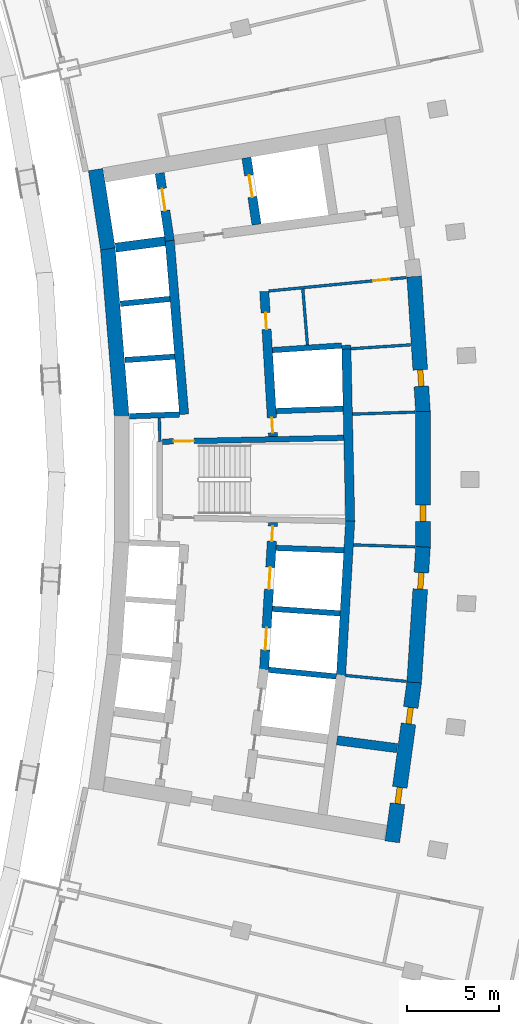
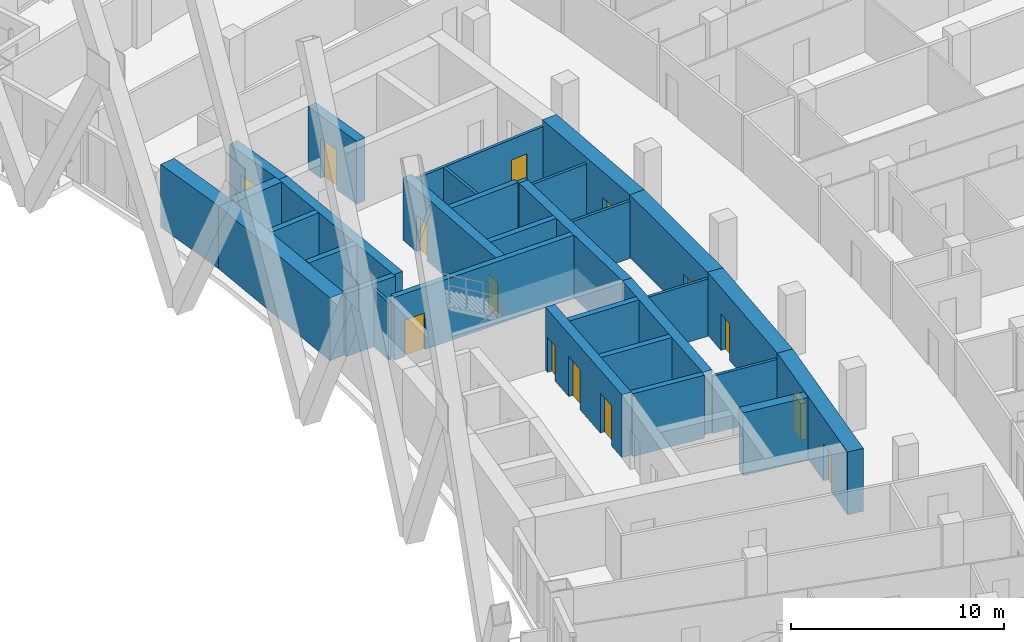
# One storey, part 17 of 26: 32 walls, 14 doors, 14 openings.
"""IFC4 building model written with IfcOpenShell, lengths in metres."""

from ifc_helpers import new_model, si_unit, direction, frame, frame_2d, origin, place, context, subcontext, project, spatial, rectangle, extrude, material, layer, layer_set, type_object, element, fill, save


model = new_model("IFC4")

# Units and contexts
model_context = context("Model", 3, precision=1e-05, world=origin(), true_north=direction((0.0, 1.0)))
body_context = subcontext(model_context, "Body", "Model", "MODEL_VIEW")
ifc_project = project(units=[si_unit("LENGTHUNIT", "METRE"), si_unit("AREAUNIT", "SQUARE_METRE"), si_unit("VOLUMEUNIT", "CUBIC_METRE"), si_unit("PLANEANGLEUNIT", "RADIAN"), si_unit("MASSUNIT", "GRAM", prefix="KILO")], contexts=[model_context])

# Site, building, storey
site_placement = place(None, origin())
site = spatial("IfcSite", under=ifc_project, at=site_placement, CompositionType="ELEMENT")
building_placement = place(site_placement, origin())
building = spatial("IfcBuilding", under=site, at=building_placement, Name="Alderwake Tower", CompositionType="ELEMENT")
storey_placement = place(building_placement, frame((0.0, 0.0, 82.39990234375)))
storey = spatial("IfcBuildingStorey", under=building, at=storey_placement, Name="L19", CompositionType="ELEMENT", Elevation=82.39990234375)

# Walls
ifc_material_1 = material(Name="Gypsum shaft wall system, rated")
ifc_layer_1 = layer(ifc_material_1, 0.14990234375)
ifc_layer_set_1 = layer_set([ifc_layer_1], Name="Core room partition 150")
wall_type_1 = type_object("IfcWallType", Name="Core room partition 150", PredefinedType="PARTITIONING", material=ifc_layer_set_1)
wall_1_placement = place(storey_placement, frame((18.918701171875, 63.05517578125, 0.0), z_axis=(0.0, 0.0, 1.0), x_axis=(-0.027327648352, 0.999626530078, 0.0)))
element("IfcWall", 1, at=wall_1_placement, inside=storey, type_object=wall_type_1, Name="CW/L19/PA+24_+22", PredefinedType="PARTITIONING", context=body_context, shape_type="SweptSolid", body=[
    extrude(rectangle(XDim=1.29541015625, YDim=0.14990234375, at=frame_2d((0.647705078125, 0.0))), origin(), (0.0, 0.0, 1.0), 3.280029296875),
])
wall_2_placement = place(storey_placement, frame((26.94970703125, 68.3203125, 0.0), z_axis=(0.0, 0.0, 1.0), x_axis=(-0.082463525817, 0.996594083321, 0.0)))
element("IfcWall", 2, at=wall_2_placement, inside=storey, type_object=wall_type_1, Name="CW/L19/PA+107_+70", PredefinedType="PARTITIONING", context=body_context, shape_type="SweptSolid", body=[
    extrude(rectangle(XDim=3.055419921875, YDim=0.14990234375, at=frame_2d((1.52783203125, 0.0))), origin(), (0.0, 0.0, 1.0), 3.280029296875),
])
wall_3_placement = place(storey_placement, frame((29.029296875, 50.331298828125, 0.0), z_axis=(0.0, 0.0, 1.0), x_axis=(0.995248248589, -0.097370034814, 0.0)))
element("IfcWall", 3, at=wall_3_placement, inside=storey, type_object=wall_type_1, Name="CW/L19/PR-102_+128", PredefinedType="PARTITIONING", context=body_context, shape_type="SweptSolid", body=[
    extrude(rectangle(XDim=3.31982421875, YDim=0.14990234375, at=frame_2d((1.659912109375, 0.0))), origin(), (0.0, 0.0, 1.0), 3.280029296875),
])
wall_4_placement = place(storey_placement, frame((29.45068359375, 57.440185546875, 0.0), z_axis=(0.0, 0.0, 1.0), x_axis=(0.999470404779, -0.0325408969, 0.0)))
element("IfcWall", 4, at=wall_4_placement, inside=storey, type_object=wall_type_1, Name="CW/L19/PR-34_+128", PredefinedType="PARTITIONING", context=body_context, shape_type="SweptSolid", body=[
    extrude(rectangle(XDim=3.361083984375, YDim=0.14990234375, at=frame_2d((1.6806640625, 0.0))), origin(), (0.0, 0.0, 1.0), 3.280029296875),
])
wall_5_placement = place(storey_placement, frame((29.3974609375, 64.55810546875, 0.0), z_axis=(0.0, 0.0, 1.0), x_axis=(0.999470631901, 0.032533920269, 0.0)))
element("IfcWall", 5, at=wall_5_placement, inside=storey, type_object=wall_type_1, Name="CW/L19/PR+34_+128", PredefinedType="PARTITIONING", context=body_context, shape_type="SweptSolid", body=[
    extrude(rectangle(XDim=3.414306640625, YDim=0.14990234375, at=frame_2d((1.70703125, 0.0))), origin(), (0.0, 0.0, 1.0), 3.280029296875),
])
wall_6_placement = place(storey_placement, frame((29.318603515625, 68.11865234375, 0.0), z_axis=(0.0, 0.0, 1.0), x_axis=(0.997885072108, 0.065002945035, 0.0)))
element("IfcWall", 6, at=wall_6_placement, inside=storey, type_object=wall_type_1, Name="CW/L19/PR+68_+128", PredefinedType="PARTITIONING", context=body_context, shape_type="SweptSolid", body=[
    extrude(rectangle(XDim=3.260009765625, YDim=0.14990234375, at=frame_2d((1.6298828125, 0.0))), origin(), (0.0, 0.0, 1.0), 3.280029296875),
])

# Wall, opening, door
wall_7_placement = place(storey_placement, frame((32.333251953125, 71.991943359375, 0.0), z_axis=(0.0, 0.0, 1.0), x_axis=(-0.995248348328, -0.097369015353, 0.0)))
wall_7 = element("IfcWall", 7, at=wall_7_placement, inside=storey, type_object=wall_type_1, Name="CW/L19/PR+102_+86", PredefinedType="PARTITIONING", context=body_context, shape_type="SweptSolid", body=[
    extrude(rectangle(XDim=7.51953125, YDim=0.14990234375, at=frame_2d((3.759765625, 0.0))), origin(), (0.0, 0.0, 1.0), 3.280029296875),
])
opening_1_placement = place(wall_7_placement, frame((0.919921875, 0.0, 0.0)))
opening_1 = element("IfcOpeningElement", 8, at=opening_1_placement, cuts=wall_7, Name="Opening C021", PredefinedType="OPENING", context=body_context, shape_type="SweptSolid", body=[
    extrude(rectangle(XDim=0.89990234375, YDim=2.10009765625, at=frame_2d((0.449951171875, 1.050048828125))), frame((0.0, 0.0849609375, 0.0), z_axis=(0.0, -1.0, 0.0), x_axis=(1.0, 0.0, 0.0)), (0.0, 0.0, 1.0), 0.169921875),
])
ifc_material_2 = material(Name="Painted steel leaf", Category="steel")
door_type_1 = type_object("IfcDoorType", Name="Core room door 900", OperationType="SINGLE_SWING_LEFT", PredefinedType="DOOR", material=ifc_material_2)
door_1_placement = place(opening_1_placement, origin())
door_1 = element("IfcDoor", 9, at=door_1_placement, inside=storey, type_object=door_type_1, Name="Room door", OperationType="SINGLE_SWING_RIGHT", OverallHeight=2.10009765625, OverallWidth=0.89990234375, PredefinedType="DOOR", context=body_context, shape_type="SweptSolid", body=[
    extrude(rectangle(XDim=0.89990234375, YDim=2.10009765625, at=frame_2d((0.449951171875, 1.050048828125))), frame((0.0, 0.02490234375, 0.0), z_axis=(0.0, -1.0, 0.0), x_axis=(1.0, 0.0, 0.0)), (0.0, 0.0, 1.0), 0.050048828125),
])
fill(opening_1, door_1)

# Walls
ifc_material_3 = material(Name="Concrete C70/85", Category="concrete")
ifc_layer_2 = layer(ifc_material_3, 0.800048828125)
ifc_layer_set_2 = layer_set([ifc_layer_2], Name="Core wall outer 800 C70-85")
wall_type_2 = type_object("IfcWallType", Name="Core wall outer 800 C70-85", PredefinedType="SHEAR", material=ifc_layer_set_2)
wall_8_placement = place(storey_placement, frame((16.8408203125, 64.410888671875, 0.0), z_axis=(0.0, 0.0, 1.0), x_axis=(-0.082619502339, 0.996581164699, 0.0)))
element("IfcWall", 10, at=wall_8_placement, inside=storey, type_object=wall_type_2, Name="Core wall CW.040", PredefinedType="SHEAR", context=body_context, shape_type="SweptSolid", body=[
    extrude(rectangle(XDim=9.201904296875, YDim=0.800048828125, at=frame_2d((4.60107421875, 0.0))), origin(), (0.0, 0.0, 1.0), 3.60009765625),
])
wall_9_placement = place(storey_placement, frame((16.083984375, 73.552490234375, 0.0), z_axis=(0.0, 0.0, 1.0), x_axis=(-0.151981606421, 0.988383322052, 0.0)))
element("IfcWall", 11, at=wall_9_placement, inside=storey, type_object=wall_type_2, Name="Core wall CW.039", PredefinedType="SHEAR", context=body_context, shape_type="SweptSolid", body=[
    extrude(rectangle(XDim=4.369384765625, YDim=0.800048828125, at=frame_2d((2.1845703125, 0.0))), origin(), (0.0, 0.0, 1.0), 3.60009765625),
])

# Wall, openings, doors
wall_10_placement = place(storey_placement, frame((32.763427734375, 49.980712890625, 0.0), z_axis=(0.0, 0.0, 1.0), x_axis=(-0.135838347444, -0.990731014637, 0.0)))
wall_10 = element("IfcWall", 12, at=wall_10_placement, inside=storey, type_object=wall_type_2, Name="Core wall CW.012", PredefinedType="SHEAR", context=body_context, shape_type="SweptSolid", body=[
    extrude(rectangle(XDim=8.788818359375, YDim=0.800048828125, at=frame_2d((4.39453125, 0.0))), origin(), (0.0, 0.0, 1.0), 3.60009765625),
])
opening_2_placement = place(wall_10_placement, frame((1.40576171875, 0.0, 0.0)))
opening_2 = element("IfcOpeningElement", 13, at=opening_2_placement, cuts=wall_10, Name="Opening C050", PredefinedType="OPENING", context=body_context, shape_type="SweptSolid", body=[
    extrude(rectangle(XDim=0.89990234375, YDim=2.10009765625, at=frame_2d((0.449951171875, 1.050048828125))), frame((0.0, 0.409912109375, 0.0), z_axis=(0.0, -1.0, 0.0), x_axis=(1.0, 0.0, 0.0)), (0.0, 0.0, 1.0), 0.820068359375),
])
opening_3_placement = place(wall_10_placement, frame((5.79345703125, 0.0, 0.0)))
opening_3 = element("IfcOpeningElement", 14, at=opening_3_placement, cuts=wall_10, Name="Opening C061", PredefinedType="OPENING", context=body_context, shape_type="SweptSolid", body=[
    extrude(rectangle(XDim=0.89990234375, YDim=2.10009765625, at=frame_2d((0.449951171875, 1.050048828125))), frame((0.0, 0.409912109375, 0.0), z_axis=(0.0, -1.0, 0.0), x_axis=(1.0, 0.0, 0.0)), (0.0, 0.0, 1.0), 0.820068359375),
])
door_2_placement = place(opening_2_placement, origin())
door_2 = element("IfcDoor", 15, at=door_2_placement, inside=storey, type_object=door_type_1, Name="Room door", OperationType="SINGLE_SWING_LEFT", OverallHeight=2.10009765625, OverallWidth=0.89990234375, PredefinedType="DOOR", context=body_context, shape_type="SweptSolid", body=[
    extrude(rectangle(XDim=0.89990234375, YDim=2.10009765625, at=frame_2d((0.449951171875, 1.050048828125))), frame((0.0, 0.14990234375, 0.0), z_axis=(0.0, -1.0, 0.0), x_axis=(1.0, 0.0, 0.0)), (0.0, 0.0, 1.0), 0.300048828125),
])
fill(opening_2, door_2)
door_3_placement = place(opening_3_placement, origin())
door_3 = element("IfcDoor", 16, at=door_3_placement, inside=storey, type_object=door_type_1, Name="Room door", OperationType="SINGLE_SWING_RIGHT", OverallHeight=2.10009765625, OverallWidth=0.89990234375, PredefinedType="DOOR", context=body_context, shape_type="SweptSolid", body=[
    extrude(rectangle(XDim=0.89990234375, YDim=2.10009765625, at=frame_2d((0.449951171875, 1.050048828125))), frame((0.0, 0.14990234375, 0.0), z_axis=(0.0, -1.0, 0.0), x_axis=(1.0, 0.0, 0.0)), (0.0, 0.0, 1.0), 0.300048828125),
])
fill(opening_3, door_3)

# Wall, opening, door
wall_11_placement = place(storey_placement, frame((33.240966796875, 57.330322265625, 0.0), z_axis=(0.0, 0.0, 1.0), x_axis=(-0.064976219143, -0.997886812693, 0.0)))
wall_11 = element("IfcWall", 17, at=wall_11_placement, inside=storey, type_object=wall_type_2, Name="Core wall CW.011", PredefinedType="SHEAR", context=body_context, shape_type="SweptSolid", body=[
    extrude(rectangle(XDim=7.39453125, YDim=0.800048828125, at=frame_2d((3.697265625, 0.0))), origin(), (0.0, 0.0, 1.0), 3.60009765625),
])
opening_4_placement = place(wall_11_placement, frame((1.40478515625, 0.0, 0.0)))
opening_4 = element("IfcOpeningElement", 18, at=opening_4_placement, cuts=wall_11, Name="Opening C026", PredefinedType="OPENING", context=body_context, shape_type="SweptSolid", body=[
    extrude(rectangle(XDim=0.89990234375, YDim=2.10009765625, at=frame_2d((0.449951171875, 1.050048828125))), frame((0.0, 0.409912109375, 0.0), z_axis=(0.0, -1.0, 0.0), x_axis=(1.0, 0.0, 0.0)), (0.0, 0.0, 1.0), 0.820068359375),
])
door_4_placement = place(opening_4_placement, origin())
door_4 = element("IfcDoor", 19, at=door_4_placement, inside=storey, type_object=door_type_1, Name="Room door", OperationType="SINGLE_SWING_RIGHT", OverallHeight=2.10009765625, OverallWidth=0.89990234375, PredefinedType="DOOR", context=body_context, shape_type="SweptSolid", body=[
    extrude(rectangle(XDim=0.89990234375, YDim=2.10009765625, at=frame_2d((0.449951171875, 1.050048828125))), frame((0.0, 0.14990234375, 0.0), z_axis=(0.0, -1.0, 0.0), x_axis=(1.0, 0.0, 0.0)), (0.0, 0.0, 1.0), 0.300048828125),
])
fill(opening_4, door_4)

wall_12_placement = place(storey_placement, frame((33.239990234375, 64.69677734375, 0.0), z_axis=(0.0, 0.0, 1.0), x_axis=(0.0, -1.0, 0.0)))
wall_12 = element("IfcWall", 20, at=wall_12_placement, inside=storey, type_object=wall_type_2, Name="Core wall CW.013", PredefinedType="SHEAR", context=body_context, shape_type="SweptSolid", body=[
    extrude(rectangle(XDim=7.3935546875, YDim=0.800048828125, at=frame_2d((3.69677734375, 0.0))), origin(), (0.0, 0.0, 1.0), 3.60009765625),
])
opening_5_placement = place(wall_12_placement, frame((5.08837890625, 0.0, 0.0)))
opening_5 = element("IfcOpeningElement", 21, at=opening_5_placement, cuts=wall_12, Name="Opening C030", PredefinedType="OPENING", context=body_context, shape_type="SweptSolid", body=[
    extrude(rectangle(XDim=0.89990234375, YDim=2.10009765625, at=frame_2d((0.449951171875, 1.050048828125))), frame((0.0, 0.409912109375, 0.0), z_axis=(0.0, -1.0, 0.0), x_axis=(1.0, 0.0, 0.0)), (0.0, 0.0, 1.0), 0.820068359375),
])
door_5_placement = place(opening_5_placement, origin())
door_5 = element("IfcDoor", 22, at=door_5_placement, inside=storey, type_object=door_type_1, Name="Room door", OperationType="SINGLE_SWING_LEFT", OverallHeight=2.10009765625, OverallWidth=0.89990234375, PredefinedType="DOOR", context=body_context, shape_type="SweptSolid", body=[
    extrude(rectangle(XDim=0.89990234375, YDim=2.10009765625, at=frame_2d((0.449951171875, 1.050048828125))), frame((0.0, 0.14990234375, 0.0), z_axis=(0.0, -1.0, 0.0), x_axis=(1.0, 0.0, 0.0)), (0.0, 0.0, 1.0), 0.300048828125),
])
fill(opening_5, door_5)

wall_13_placement = place(storey_placement, frame((32.760498046875, 72.048583984375, 0.0), z_axis=(0.0, 0.0, 1.0), x_axis=(0.064976219143, -0.997886812693, 0.0)))
wall_13 = element("IfcWall", 23, at=wall_13_placement, inside=storey, type_object=wall_type_2, Name="Core wall CW.010", PredefinedType="SHEAR", context=body_context, shape_type="SweptSolid", body=[
    extrude(rectangle(XDim=7.39453125, YDim=0.800048828125, at=frame_2d((3.697265625, 0.0))), origin(), (0.0, 0.0, 1.0), 3.60009765625),
])
opening_6_placement = place(wall_13_placement, frame((5.08984375, 0.0, 0.0)))
opening_6 = element("IfcOpeningElement", 24, at=opening_6_placement, cuts=wall_13, Name="Opening C035", PredefinedType="OPENING", context=body_context, shape_type="SweptSolid", body=[
    extrude(rectangle(XDim=0.89990234375, YDim=2.10009765625, at=frame_2d((0.449951171875, 1.050048828125))), frame((0.0, 0.409912109375, 0.0), z_axis=(0.0, -1.0, 0.0), x_axis=(1.0, 0.0, 0.0)), (0.0, 0.0, 1.0), 0.820068359375),
])
door_6_placement = place(opening_6_placement, origin())
door_6 = element("IfcDoor", 25, at=door_6_placement, inside=storey, type_object=door_type_1, Name="Room door", OperationType="SINGLE_SWING_RIGHT", OverallHeight=2.10009765625, OverallWidth=0.89990234375, PredefinedType="DOOR", context=body_context, shape_type="SweptSolid", body=[
    extrude(rectangle(XDim=0.89990234375, YDim=2.10009765625, at=frame_2d((0.449951171875, 1.050048828125))), frame((0.0, 0.14990234375, 0.0), z_axis=(0.0, -1.0, 0.0), x_axis=(1.0, 0.0, 0.0)), (0.0, 0.0, 1.0), 0.300048828125),
])
fill(opening_6, door_6)

# Walls
ifc_material_4 = material(Name="Concrete C70/85", Category="concrete")
ifc_layer_3 = layer(ifc_material_4, 0.300048828125)
ifc_layer_set_3 = layer_set([ifc_layer_3], Name="Core wall shaft 300 C70-85")
wall_type_3 = type_object("IfcWallType", Name="Core wall shaft 300 C70-85", PredefinedType="SHEAR", material=ifc_layer_set_3)
wall_14_placement = place(storey_placement, frame((24.839599609375, 50.64013671875, 0.0), z_axis=(0.0, 0.0, 1.0), x_axis=(0.995150987401, -0.098359098589, 0.0)))
element("IfcWall", 26, at=wall_14_placement, inside=storey, type_object=wall_type_3, Name="Core wall CW.066", PredefinedType="SHEAR", context=body_context, shape_type="SweptSolid", body=[
    extrude(rectangle(XDim=3.69580078125, YDim=0.300048828125, at=frame_2d((1.847900390625, 0.0))), origin(), (0.0, 0.0, 1.0), 3.60009765625),
])
wall_15_placement = place(storey_placement, frame((25.0400390625, 53.9580078125, 0.0), z_axis=(0.0, 0.0, 1.0), x_axis=(0.997759957359, -0.066895945251, 0.0)))
element("IfcWall", 27, at=wall_15_placement, inside=storey, type_object=wall_type_3, Name="Core wall CW.080", PredefinedType="SHEAR", context=body_context, shape_type="SweptSolid", body=[
    extrude(rectangle(XDim=3.697021484375, YDim=0.300048828125, at=frame_2d((1.8486328125, 0.0))), origin(), (0.0, 0.0, 1.0), 3.60009765625),
])
wall_16_placement = place(storey_placement, frame((25.240478515625, 57.27490234375, 0.0), z_axis=(0.0, 0.0, 1.0), x_axis=(0.999372332678, -0.035425141877, 0.0)))
element("IfcWall", 28, at=wall_16_placement, inside=storey, type_object=wall_type_3, Name="Core wall CW.077", PredefinedType="SHEAR", context=body_context, shape_type="SweptSolid", body=[
    extrude(rectangle(XDim=3.69384765625, YDim=0.300048828125, at=frame_2d((1.846923828125, 0.0))), origin(), (0.0, 0.0, 1.0), 3.60009765625),
])
wall_17_placement = place(storey_placement, frame((17.269287109375, 64.443115234375, 0.0), z_axis=(0.0, 0.0, 1.0), x_axis=(0.999374239339, 0.03537131246, 0.0)))
element("IfcWall", 29, at=wall_17_placement, inside=storey, type_object=wall_type_3, Name="Core wall CW.059", PredefinedType="SHEAR", context=body_context, shape_type="SweptSolid", body=[
    extrude(rectangle(XDim=2.719482421875, YDim=0.300048828125, at=frame_2d((1.35986328125, 0.0))), origin(), (0.0, 0.0, 1.0), 3.60009765625),
])
wall_18_placement = place(storey_placement, frame((25.2412109375, 64.725341796875, 0.0), z_axis=(0.0, 0.0, 1.0), x_axis=(0.999374468163, 0.035364846723, 0.0)))
element("IfcWall", 30, at=wall_18_placement, inside=storey, type_object=wall_type_3, Name="Core wall CW.060", PredefinedType="SHEAR", context=body_context, shape_type="SweptSolid", body=[
    extrude(rectangle(XDim=3.65185546875, YDim=0.300048828125, at=frame_2d((1.825927734375, 0.0))), origin(), (0.0, 0.0, 1.0), 3.60009765625),
])
wall_19_placement = place(storey_placement, frame((17.015869140625, 67.50390625, 0.0), z_axis=(0.0, 0.0, 1.0), x_axis=(0.997756033475, 0.066954444689, 0.0)))
element("IfcWall", 31, at=wall_19_placement, inside=storey, type_object=wall_type_3, Name="Core wall CW.062", PredefinedType="SHEAR", context=body_context, shape_type="SweptSolid", body=[
    extrude(rectangle(XDim=2.716552734375, YDim=0.300048828125, at=frame_2d((1.3583984375, 0.0))), origin(), (0.0, 0.0, 1.0), 3.60009765625),
])
wall_20_placement = place(storey_placement, frame((25.042236328125, 68.0419921875, 0.0), z_axis=(0.0, 0.0, 1.0), x_axis=(0.997762475899, 0.066858370369, 0.0)))
element("IfcWall", 32, at=wall_20_placement, inside=storey, type_object=wall_type_3, Name="Core wall CW.063", PredefinedType="SHEAR", context=body_context, shape_type="SweptSolid", body=[
    extrude(rectangle(XDim=3.772216796875, YDim=0.300048828125, at=frame_2d((1.88623046875, 0.0))), origin(), (0.0, 0.0, 1.0), 3.60009765625),
])
wall_21_placement = place(storey_placement, frame((16.76220703125, 70.561767578125, 0.0), z_axis=(0.0, 0.0, 1.0), x_axis=(0.995154832978, 0.098320183083, 0.0)))
element("IfcWall", 33, at=wall_21_placement, inside=storey, type_object=wall_type_3, Name="Core wall CW.050", PredefinedType="SHEAR", context=body_context, shape_type="SweptSolid", body=[
    extrude(rectangle(XDim=2.716552734375, YDim=0.300048828125, at=frame_2d((1.3583984375, 0.0))), origin(), (0.0, 0.0, 1.0), 3.60009765625),
])
ifc_material_5 = material(Name="Concrete C70/85", Category="concrete")
ifc_layer_4 = layer(ifc_material_5, 0.5)
ifc_layer_set_4 = layer_set([ifc_layer_4], Name="Core wall spine 500 C70-85")
wall_type_4 = type_object("IfcWallType", Name="Core wall spine 500 C70-85", PredefinedType="SHEAR", material=ifc_layer_set_4)
wall_22_placement = place(storey_placement, frame((20.2373046875, 64.548095703125, 0.0), z_axis=(0.0, 0.0, 1.0), x_axis=(-0.082641410547, 0.996579348202, 0.0)))
element("IfcWall", 34, at=wall_22_placement, inside=storey, type_object=wall_type_4, Name="Core wall CW.031", PredefinedType="SHEAR", context=body_context, shape_type="SweptSolid", body=[
    extrude(rectangle(XDim=9.500732421875, YDim=0.5, at=frame_2d((4.75048828125, 0.0))), origin(), (0.0, 0.0, 1.0), 3.60009765625),
])

# Wall, opening, door
wall_23_placement = place(storey_placement, frame((19.4541015625, 73.9990234375, 0.0), z_axis=(0.0, 0.0, 1.0), x_axis=(-0.14792928808, 0.988997940204, 0.0)))
wall_23 = element("IfcWall", 35, at=wall_23_placement, inside=storey, type_object=wall_type_4, Name="Core wall CW.030", PredefinedType="SHEAR", context=body_context, shape_type="SweptSolid", body=[
    extrude(rectangle(XDim=3.716552734375, YDim=0.5, at=frame_2d((1.8583984375, 0.0))), origin(), (0.0, 0.0, 1.0), 3.60009765625),
])
opening_7_placement = place(wall_23_placement, frame((1.66259765625, 0.0, 0.0)))
opening_7 = element("IfcOpeningElement", 36, at=opening_7_placement, cuts=wall_23, Name="Opening LD-FF1", PredefinedType="OPENING", context=body_context, shape_type="SweptSolid", body=[
    extrude(rectangle(XDim=1.199951171875, YDim=2.300048828125, at=frame_2d((0.60009765625, 1.14990234375))), frame((0.0, 0.260009765625, 0.0), z_axis=(0.0, -1.0, 0.0), x_axis=(1.0, 0.0, 0.0)), (0.0, 0.0, 1.0), 0.52001953125),
])
ifc_material_6 = material(Name="Stainless steel sliding leaf", Category="steel")
door_type_2 = type_object("IfcDoorType", Name="Lift landing door 1200", OperationType="SLIDING_TO_LEFT", PredefinedType="DOOR", material=ifc_material_6)
door_7_placement = place(opening_7_placement, origin())
door_7 = element("IfcDoor", 37, at=door_7_placement, inside=storey, type_object=door_type_2, Name="Lift landing door FF1", OperationType="SLIDING_TO_LEFT", OverallHeight=2.300048828125, OverallWidth=1.199951171875, PredefinedType="DOOR", context=body_context, shape_type="SweptSolid", body=[
    extrude(rectangle(XDim=1.199951171875, YDim=2.300048828125, at=frame_2d((0.60009765625, 1.14990234375))), frame((0.0, 0.02490234375, 0.0), z_axis=(0.0, -1.0, 0.0), x_axis=(1.0, 0.0, 0.0)), (0.0, 0.0, 1.0), 0.050048828125),
])
fill(opening_7, door_7)

# Wall, openings, doors
wall_24_placement = place(storey_placement, frame((24.590087890625, 50.655029296875, 0.0), z_axis=(0.0, 0.0, 1.0), x_axis=(0.060305817737, 0.998179947879, 0.0)))
wall_24 = element("IfcWall", 38, at=wall_24_placement, inside=storey, type_object=wall_type_4, Name="Core wall CW.046", PredefinedType="SHEAR", context=body_context, shape_type="SweptSolid", body=[
    extrude(rectangle(XDim=8.02392578125, YDim=0.5, at=frame_2d((4.011962890625, 0.0))), origin(), (0.0, 0.0, 1.0), 3.60009765625),
])
opening_8_placement = place(wall_24_placement, frame((1.067138671875, 0.0, 0.0)))
opening_8 = element("IfcOpeningElement", 39, at=opening_8_placement, cuts=wall_24, Name="Opening LD-LP5", PredefinedType="OPENING", context=body_context, shape_type="SweptSolid", body=[
    extrude(rectangle(XDim=1.199951171875, YDim=2.300048828125, at=frame_2d((0.60009765625, 1.14990234375))), frame((0.0, 0.260009765625, 0.0), z_axis=(0.0, -1.0, 0.0), x_axis=(1.0, 0.0, 0.0)), (0.0, 0.0, 1.0), 0.52001953125),
])
opening_9_placement = place(wall_24_placement, frame((4.383544921875, 0.0, 0.0)))
opening_9 = element("IfcOpeningElement", 40, at=opening_9_placement, cuts=wall_24, Name="Opening LD-LP6", PredefinedType="OPENING", context=body_context, shape_type="SweptSolid", body=[
    extrude(rectangle(XDim=1.199951171875, YDim=2.300048828125, at=frame_2d((0.60009765625, 1.14990234375))), frame((0.0, 0.260009765625, 0.0), z_axis=(0.0, -1.0, 0.0), x_axis=(1.0, 0.0, 0.0)), (0.0, 0.0, 1.0), 0.52001953125),
])
opening_10_placement = place(wall_24_placement, frame((7.0078125, 0.0, 0.0)))
opening_10 = element("IfcOpeningElement", 41, at=opening_10_placement, cuts=wall_24, Name="Opening C006", PredefinedType="OPENING", context=body_context, shape_type="SweptSolid", body=[
    extrude(rectangle(XDim=0.800048828125, YDim=2.0, at=frame_2d((0.39990234375, 1.0))), frame((0.0, 0.260009765625, 0.0), z_axis=(0.0, -1.0, 0.0), x_axis=(1.0, 0.0, 0.0)), (0.0, 0.0, 1.0), 0.52001953125),
])
door_8_placement = place(opening_8_placement, origin())
door_8 = element("IfcDoor", 42, at=door_8_placement, inside=storey, type_object=door_type_2, Name="Lift landing door LP5", OperationType="SLIDING_TO_LEFT", OverallHeight=2.300048828125, OverallWidth=1.199951171875, PredefinedType="DOOR", context=body_context, shape_type="SweptSolid", body=[
    extrude(rectangle(XDim=1.199951171875, YDim=2.300048828125, at=frame_2d((0.60009765625, 1.14990234375))), frame((0.0, 0.02490234375, 0.0), z_axis=(0.0, -1.0, 0.0), x_axis=(1.0, 0.0, 0.0)), (0.0, 0.0, 1.0), 0.050048828125),
])
fill(opening_8, door_8)
door_9_placement = place(opening_9_placement, origin())
door_9 = element("IfcDoor", 43, at=door_9_placement, inside=storey, type_object=door_type_2, Name="Lift landing door LP6", OperationType="SLIDING_TO_LEFT", OverallHeight=2.300048828125, OverallWidth=1.199951171875, PredefinedType="DOOR", context=body_context, shape_type="SweptSolid", body=[
    extrude(rectangle(XDim=1.199951171875, YDim=2.300048828125, at=frame_2d((0.60009765625, 1.14990234375))), frame((0.0, 0.02490234375, 0.0), z_axis=(0.0, -1.0, 0.0), x_axis=(1.0, 0.0, 0.0)), (0.0, 0.0, 1.0), 0.050048828125),
])
fill(opening_9, door_9)
ifc_material_7 = material(Name="Painted steel leaf, rated", Category="steel")
door_type_3 = type_object("IfcDoorType", Name="Riser access door 800", OperationType="SINGLE_SWING_LEFT", PredefinedType="DOOR", material=ifc_material_7)
door_10_placement = place(opening_10_placement, origin())
door_10 = element("IfcDoor", 44, at=door_10_placement, inside=storey, type_object=door_type_3, Name="Riser access door", OperationType="SINGLE_SWING_RIGHT", OverallHeight=2.0, OverallWidth=0.800048828125, PredefinedType="DOOR", context=body_context, shape_type="SweptSolid", body=[
    extrude(rectangle(XDim=0.800048828125, YDim=2.0, at=frame_2d((0.39990234375, 1.0))), frame((0.0, 0.02490234375, 0.0), z_axis=(0.0, -1.0, 0.0), x_axis=(1.0, 0.0, 0.0)), (0.0, 0.0, 1.0), 0.050048828125),
])
fill(opening_10, door_10)

wall_25_placement = place(storey_placement, frame((25.073974609375, 63.335693359375, 0.0), z_axis=(0.0, 0.0, 1.0), x_axis=(-0.059848641072, 0.998207463487, 0.0)))
wall_25 = element("IfcWall", 45, at=wall_25_placement, inside=storey, type_object=wall_type_4, Name="Core wall CW.045", PredefinedType="SHEAR", context=body_context, shape_type="SweptSolid", body=[
    extrude(rectangle(XDim=7.913818359375, YDim=0.5, at=frame_2d((3.95703125, 0.0))), origin(), (0.0, 0.0, 1.0), 3.60009765625),
])
opening_11_placement = place(wall_25_placement, frame((0.216064453125, 0.0, 0.0)))
opening_11 = element("IfcOpeningElement", 46, at=opening_11_placement, cuts=wall_25, Name="Opening C005", PredefinedType="OPENING", context=body_context, shape_type="SweptSolid", body=[
    extrude(rectangle(XDim=0.800048828125, YDim=2.0, at=frame_2d((0.39990234375, 1.0))), frame((0.0, 0.260009765625, 0.0), z_axis=(0.0, -1.0, 0.0), x_axis=(1.0, 0.0, 0.0)), (0.0, 0.0, 1.0), 0.52001953125),
])
opening_12_placement = place(wall_25_placement, frame((5.856201171875, 0.0, 0.0)))
opening_12 = element("IfcOpeningElement", 47, at=opening_12_placement, cuts=wall_25, Name="Opening C024", PredefinedType="OPENING", context=body_context, shape_type="SweptSolid", body=[
    extrude(rectangle(XDim=0.89990234375, YDim=2.10009765625, at=frame_2d((0.449951171875, 1.050048828125))), frame((0.0, 0.260009765625, 0.0), z_axis=(0.0, -1.0, 0.0), x_axis=(1.0, 0.0, 0.0)), (0.0, 0.0, 1.0), 0.52001953125),
])
door_11_placement = place(opening_12_placement, origin())
door_11 = element("IfcDoor", 48, at=door_11_placement, inside=storey, type_object=door_type_1, Name="Room door", OperationType="SINGLE_SWING_LEFT", OverallHeight=2.10009765625, OverallWidth=0.89990234375, PredefinedType="DOOR", context=body_context, shape_type="SweptSolid", body=[
    extrude(rectangle(XDim=0.89990234375, YDim=2.10009765625, at=frame_2d((0.449951171875, 1.050048828125))), frame((0.0, 0.02490234375, 0.0), z_axis=(0.0, -1.0, 0.0), x_axis=(1.0, 0.0, 0.0)), (0.0, 0.0, 1.0), 0.050048828125),
])
fill(opening_12, door_11)
door_12_placement = place(opening_11_placement, origin())
door_12 = element("IfcDoor", 49, at=door_12_placement, inside=storey, type_object=door_type_3, Name="Riser access door", OperationType="SINGLE_SWING_LEFT", OverallHeight=2.0, OverallWidth=0.800048828125, PredefinedType="DOOR", context=body_context, shape_type="SweptSolid", body=[
    extrude(rectangle(XDim=0.800048828125, YDim=2.0, at=frame_2d((0.39990234375, 1.0))), frame((0.0, 0.02490234375, 0.0), z_axis=(0.0, -1.0, 0.0), x_axis=(1.0, 0.0, 0.0)), (0.0, 0.0, 1.0), 0.050048828125),
])
fill(opening_11, door_12)

# Wall, opening, door
wall_26_placement = place(storey_placement, frame((24.1796875, 74.878173828125, 0.0), z_axis=(0.0, 0.0, 1.0), x_axis=(-0.149334835296, 0.988786684259, 0.0)))
wall_26 = element("IfcWall", 50, at=wall_26_placement, inside=storey, type_object=wall_type_4, Name="Core wall CW.044", PredefinedType="SHEAR", context=body_context, shape_type="SweptSolid", body=[
    extrude(rectangle(XDim=3.673583984375, YDim=0.5, at=frame_2d((1.8369140625, 0.0))), origin(), (0.0, 0.0, 1.0), 3.60009765625),
])
opening_13_placement = place(wall_26_placement, frame((1.51171875, 0.0, 0.0)))
opening_13 = element("IfcOpeningElement", 51, at=opening_13_placement, cuts=wall_26, Name="Opening LD-FF2", PredefinedType="OPENING", context=body_context, shape_type="SweptSolid", body=[
    extrude(rectangle(XDim=1.199951171875, YDim=2.300048828125, at=frame_2d((0.60009765625, 1.14990234375))), frame((0.0, 0.260009765625, 0.0), z_axis=(0.0, -1.0, 0.0), x_axis=(1.0, 0.0, 0.0)), (0.0, 0.0, 1.0), 0.52001953125),
])
door_13_placement = place(opening_13_placement, origin())
door_13 = element("IfcDoor", 52, at=door_13_placement, inside=storey, type_object=door_type_2, Name="Lift landing door FF2", OperationType="SLIDING_TO_LEFT", OverallHeight=2.300048828125, OverallWidth=1.199951171875, PredefinedType="DOOR", context=body_context, shape_type="SweptSolid", body=[
    extrude(rectangle(XDim=1.199951171875, YDim=2.300048828125, at=frame_2d((0.60009765625, 1.14990234375))), frame((0.0, 0.02490234375, 0.0), z_axis=(0.0, -1.0, 0.0), x_axis=(1.0, 0.0, 0.0)), (0.0, 0.0, 1.0), 0.050048828125),
])
fill(opening_13, door_13)

# Walls
wall_27_placement = place(storey_placement, frame((28.77978515625, 50.345947265625, 0.0), z_axis=(0.0, 0.0, 1.0), x_axis=(0.059159556477, 0.998248539632, 0.0)))
element("IfcWall", 53, at=wall_27_placement, inside=storey, type_object=wall_type_4, Name="Core wall CW.004", PredefinedType="SHEAR", context=body_context, shape_type="SweptSolid", body=[
    extrude(rectangle(XDim=8.40625, YDim=0.5, at=frame_2d((4.203125, 0.0))), origin(), (0.0, 0.0, 1.0), 3.60009765625),
])
wall_28_placement = place(storey_placement, frame((29.276611328125, 58.71630859375, 0.0), z_axis=(0.0, 0.0, 1.0), x_axis=(-0.022115722908, 0.99975541749, 0.0)))
element("IfcWall", 54, at=wall_28_placement, inside=storey, type_object=wall_type_4, Name="Core wall CW.007", PredefinedType="SHEAR", context=body_context, shape_type="SweptSolid", body=[
    extrude(rectangle(XDim=9.394287109375, YDim=0.5, at=frame_2d((4.697265625, 0.0))), origin(), (0.0, 0.0, 1.0), 3.60009765625),
])
wall_29_placement = place(storey_placement, frame((29.0693359375, 68.096435546875, 0.0), z_axis=(0.0, 0.0, 1.0), x_axis=(-0.065840896216, 0.997830134034, 0.0)))
element("IfcWall", 55, at=wall_29_placement, inside=storey, type_object=wall_type_4, Name="Core wall CW.003", PredefinedType="SHEAR", context=body_context, shape_type="SweptSolid", body=[
    extrude(rectangle(XDim=0.215087890625, YDim=0.5, at=frame_2d((0.107421875, 0.0))), origin(), (0.0, 0.0, 1.0), 3.60009765625),
])
wall_30_placement = place(storey_placement, frame((28.55859375, 46.80126953125, 0.0), z_axis=(0.0, 0.0, 1.0), x_axis=(0.991555852521, -0.129680342885, 0.0)))
element("IfcWall", 56, at=wall_30_placement, inside=storey, type_object=wall_type_4, Name="Core wall CW.068", PredefinedType="SHEAR", context=body_context, shape_type="SweptSolid", body=[
    extrude(rectangle(XDim=3.303955078125, YDim=0.5, at=frame_2d((1.65185546875, 0.0))), origin(), (0.0, 0.0, 1.0), 3.60009765625),
])
wall_31_placement = place(storey_placement, frame((16.508544921875, 73.62255859375, 0.0), z_axis=(0.0, 0.0, 1.0), x_axis=(0.991548766325, 0.129734513522, 0.0)))
element("IfcWall", 57, at=wall_31_placement, inside=storey, type_object=wall_type_4, Name="Core wall CW.051", PredefinedType="SHEAR", context=body_context, shape_type="SweptSolid", body=[
    extrude(rectangle(XDim=2.71923828125, YDim=0.5, at=frame_2d((1.359619140625, 0.0))), origin(), (0.0, 0.0, 1.0), 3.60009765625),
])

# Wall, opening, door
ifc_material_8 = material(Name="Concrete C70/85", Category="concrete")
ifc_layer_5 = layer(ifc_material_8, 0.300048828125)
ifc_layer_set_5 = layer_set([ifc_layer_5], Name="Core wall stair enclosure 300 C70-85")
wall_type_5 = type_object("IfcWallType", Name="Core wall stair enclosure 300 C70-85", PredefinedType="SHEAR", material=ifc_layer_set_5)
wall_32_placement = place(storey_placement, frame((19.068603515625, 63.060791015625, 0.0), z_axis=(0.0, 0.0, 1.0), x_axis=(0.999783647187, 0.02080045235, 0.0)))
wall_32 = element("IfcWall", 58, at=wall_32_placement, inside=storey, type_object=wall_type_5, Name="Core wall CW.057", PredefinedType="SHEAR", context=body_context, shape_type="SweptSolid", body=[
    extrude(rectangle(XDim=9.859375, YDim=0.300048828125, at=frame_2d((4.9296875, 0.0))), origin(), (0.0, 0.0, 1.0), 3.60009765625),
])
opening_14_placement = place(wall_32_placement, frame((0.60009765625, 0.0, 0.0)))
opening_14 = element("IfcOpeningElement", 59, at=opening_14_placement, cuts=wall_32, Name="Opening C064", PredefinedType="OPENING", context=body_context, shape_type="SweptSolid", body=[
    extrude(rectangle(XDim=1.10009765625, YDim=2.10009765625, at=frame_2d((0.550048828125, 1.050048828125))), frame((0.0, 0.159912109375, 0.0), z_axis=(0.0, -1.0, 0.0), x_axis=(1.0, 0.0, 0.0)), (0.0, 0.0, 1.0), 0.320068359375),
])
ifc_material_9 = material(Name="Steel-framed fire door leaf", Category="steel")
door_type_4 = type_object("IfcDoorType", Name="Core stair door 1100 fire-rated", OperationType="SINGLE_SWING_LEFT", PredefinedType="DOOR", material=ifc_material_9)
door_14_placement = place(opening_14_placement, origin())
door_14 = element("IfcDoor", 60, at=door_14_placement, inside=storey, type_object=door_type_4, Name="Stair door", OperationType="SINGLE_SWING_LEFT", OverallHeight=2.10009765625, OverallWidth=1.10009765625, PredefinedType="DOOR", context=body_context, shape_type="SweptSolid", body=[
    extrude(rectangle(XDim=1.10009765625, YDim=2.10009765625, at=frame_2d((0.550048828125, 1.050048828125))), frame((0.0, 0.02490234375, 0.0), z_axis=(0.0, -1.0, 0.0), x_axis=(1.0, 0.0, 0.0)), (0.0, 0.0, 1.0), 0.050048828125),
])
fill(opening_14, door_14)

save(model, "model.ifc")
